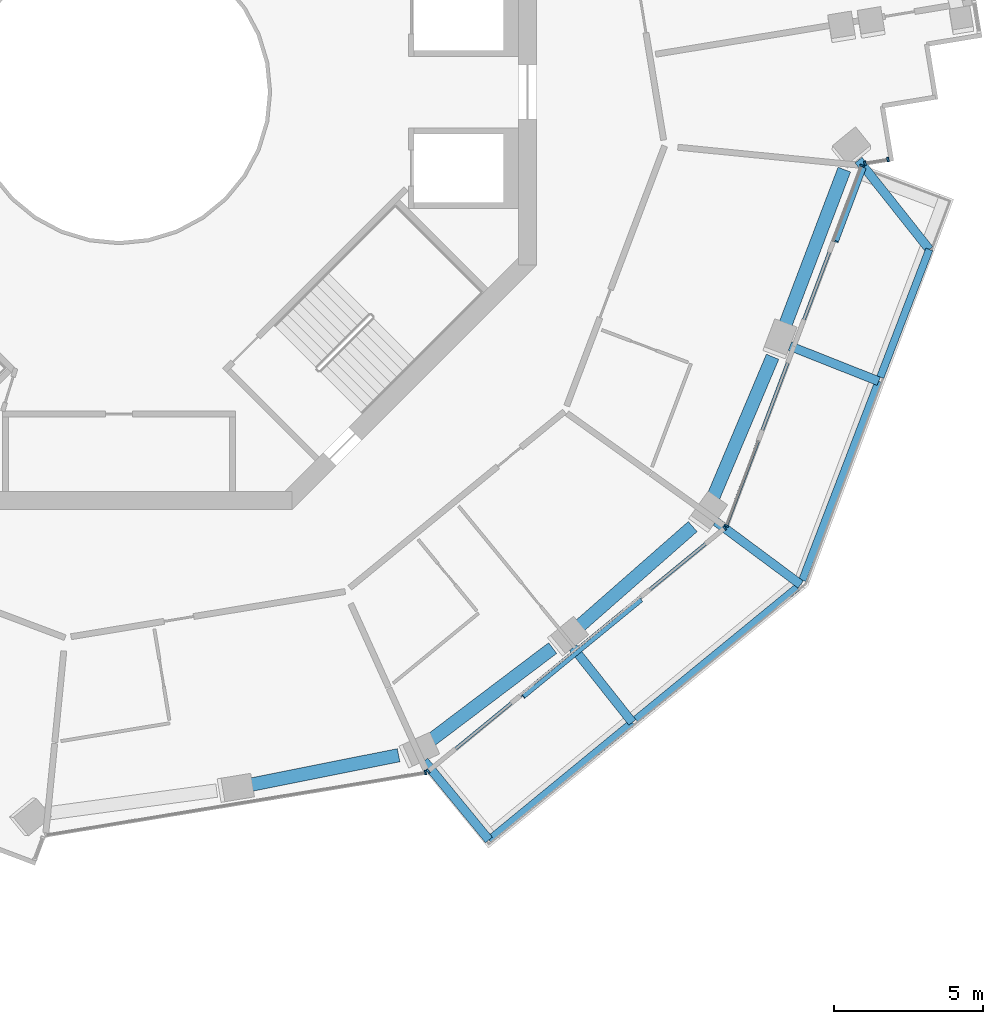
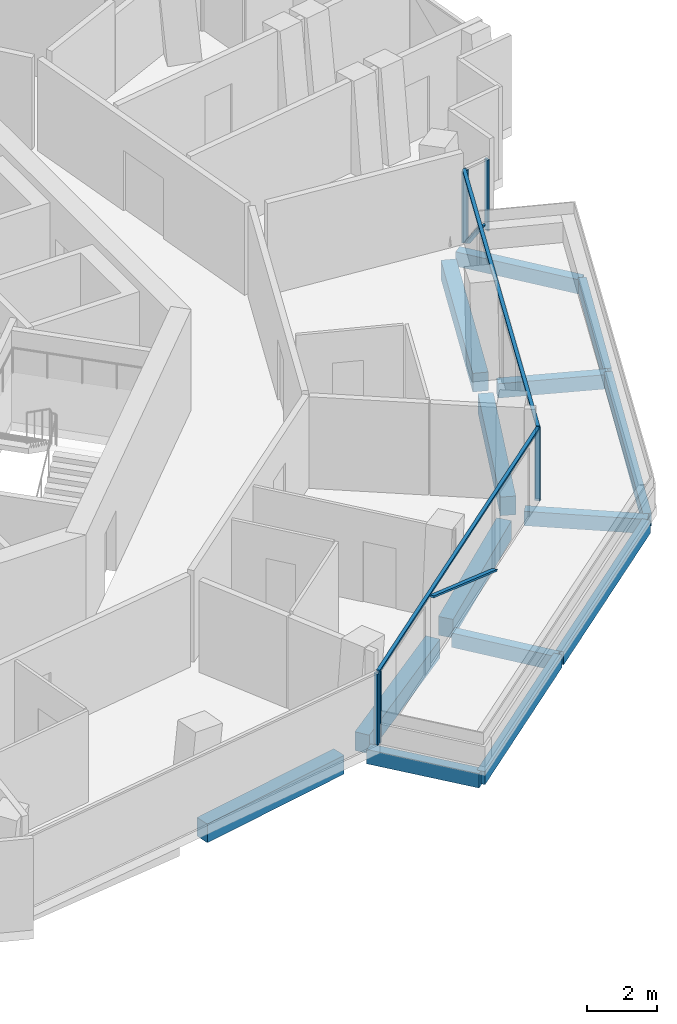
# One storey, part 4 of 21: 14 beams, 11 members, 4 elements without a shape of their own.
"""IFC4 building model written with IfcOpenShell, lengths in metres."""

from ifc_helpers import new_model, si_unit, direction, frame, origin, origin_2d, place, context, subcontext, project, spatial, rectangle, extrude, material, layer, layer_set, material_profile, profile_set, type_object, element, aggregate, save


model = new_model("IFC4")

# Units and contexts
model_context = context("Model", 3, precision=1e-05, world=origin(), true_north=direction((0.0, 1.0)))
body_context = subcontext(model_context, "Body", "Model", "MODEL_VIEW")
ifc_project = project(units=[si_unit("LENGTHUNIT", "METRE"), si_unit("AREAUNIT", "SQUARE_METRE"), si_unit("VOLUMEUNIT", "CUBIC_METRE"), si_unit("PLANEANGLEUNIT", "RADIAN"), si_unit("MASSUNIT", "GRAM", prefix="KILO")], contexts=[model_context])

# Site, building, storey
site_placement = place(None, origin())
site = spatial("IfcSite", under=ifc_project, at=site_placement, CompositionType="ELEMENT")
building_placement = place(site_placement, origin())
building = spatial("IfcBuilding", under=site, at=building_placement, Name="Verdalira Terraces Hotel", CompositionType="ELEMENT")
storey_placement = place(building_placement, frame((0.0, 0.0, 194.0)))
storey = spatial("IfcBuildingStorey", under=building, at=storey_placement, Name="L47", CompositionType="ELEMENT", Elevation=194.0)

# Beams
ifc_material_1 = material(Name="Concrete C40", Category="concrete")
ifc_material_profile_1 = material_profile(ifc_material_1, rectangle(XDim=0.300049, YDim=0.5, at=origin_2d()), Name="RC 300X500")
ifc_profile_set_1 = profile_set([ifc_material_profile_1], Name="Concrete C40")
beam_type_1 = type_object("IfcBeamType", Name="Balcony cantilever beam RC 300X500 C40", PredefinedType="BEAM", material=ifc_profile_set_1)
beam_1_placement = place(storey_placement, frame((10.235352, -22.431641, -0.560059), z_axis=(0.634188744, -0.77317827, 0.0), x_axis=(0.77317827, 0.634188744, 0.0)))
element("IfcBeam", 1, at=beam_1_placement, inside=storey, type_object=beam_type_1, Name="Balcony cantilever beam R26-1", PredefinedType="BEAM", context=body_context, shape_type="SweptSolid", body=[
    extrude(rectangle(XDim=0.300049, YDim=0.5, at=origin_2d()), origin(), (0.0, 0.0, 1.0), 3.423584),
])
beam_2_placement = place(storey_placement, frame((15.225098, -18.627686, -0.560059), z_axis=(0.621144404, -0.783696133, 0.0), x_axis=(0.783696133, 0.621144404, 0.0)))
element("IfcBeam", 2, at=beam_2_placement, inside=storey, type_object=beam_type_1, Name="Balcony cantilever beam R26-2", PredefinedType="BEAM", context=body_context, shape_type="SweptSolid", body=[
    extrude(rectangle(XDim=0.300049, YDim=0.5, at=origin_2d()), origin(), (0.0, 0.0, 1.0), 3.200684),
])
beam_3_placement = place(storey_placement, frame((20.011719, -14.400635, -0.560059), z_axis=(0.802801306, -0.596246646, 0.0), x_axis=(0.596246646, 0.802801306, 0.0)))
element("IfcBeam", 3, at=beam_3_placement, inside=storey, type_object=beam_type_1, Name="Balcony cantilever beam R26-3", PredefinedType="BEAM", context=body_context, shape_type="SweptSolid", body=[
    extrude(rectangle(XDim=0.300049, YDim=0.5, at=origin_2d()), origin(), (0.0, 0.0, 1.0), 3.544678),
])
beam_4_placement = place(storey_placement, frame((22.499023, -8.519287, -0.560059), z_axis=(0.92975984, -0.368166591, 0.0), x_axis=(0.368166591, 0.92975984, 0.0)))
element("IfcBeam", 4, at=beam_4_placement, inside=storey, type_object=beam_type_1, Name="Balcony cantilever beam R26-4", PredefinedType="BEAM", context=body_context, shape_type="SweptSolid", body=[
    extrude(rectangle(XDim=0.300049, YDim=0.5, at=origin_2d()), origin(), (0.0, 0.0, 1.0), 3.200928),
])
beam_5_placement = place(storey_placement, frame((24.79834, -2.282471, -0.560059), z_axis=(0.621189042, -0.783660752, 0.0), x_axis=(0.783660752, 0.621189042, 0.0)))
element("IfcBeam", 5, at=beam_5_placement, inside=storey, type_object=beam_type_1, Name="Balcony cantilever beam R26-5", PredefinedType="BEAM", context=body_context, shape_type="SweptSolid", body=[
    extrude(rectangle(XDim=0.300049, YDim=0.5, at=origin_2d()), origin(), (0.0, 0.0, 1.0), 3.819824),
])
ifc_material_2 = material(Name="Concrete C40", Category="concrete")
ifc_material_profile_2 = material_profile(ifc_material_2, rectangle(XDim=0.25, YDim=0.449951, at=origin_2d()), Name="RC 250X450")
ifc_profile_set_2 = profile_set([ifc_material_profile_2], Name="Concrete C40")
beam_type_2 = type_object("IfcBeamType", Name="Balcony edge beam RC 250X450 C40", PredefinedType="BEAM", material=ifc_profile_set_2)
beam_6_placement = place(storey_placement, frame((12.406494, -25.078613, -0.534912), z_axis=(0.773174587, 0.634193234, 0.0), x_axis=(-0.634193234, 0.773174587, 0.0)))
element("IfcBeam", 6, at=beam_6_placement, inside=storey, type_object=beam_type_2, Name="Balcony edge beam R26-1", PredefinedType="BEAM", context=body_context, shape_type="SweptSolid", body=[
    extrude(rectangle(XDim=0.25, YDim=0.449951, at=origin_2d()), origin(), (0.0, 0.0, 1.0), 6.216797),
])
beam_7_placement = place(storey_placement, frame((17.329346, -21.041016, -0.534912), z_axis=(0.773686476, 0.633568652, 0.0), x_axis=(-0.633568652, 0.773686476, 0.0)))
element("IfcBeam", 7, at=beam_7_placement, inside=storey, type_object=beam_type_2, Name="Balcony edge beam R26-2", PredefinedType="BEAM", context=body_context, shape_type="SweptSolid", body=[
    extrude(rectangle(XDim=0.25, YDim=0.449951, at=origin_2d()), origin(), (0.0, 0.0, 1.0), 6.990479),
])
beam_8_placement = place(storey_placement, frame((22.91333, -16.368652, -0.534912), z_axis=(0.358495963, 0.933531277, 0.0), x_axis=(-0.933531277, 0.358495963, 0.0)))
element("IfcBeam", 8, at=beam_8_placement, inside=storey, type_object=beam_type_2, Name="Balcony edge beam R26-3", PredefinedType="BEAM", context=body_context, shape_type="SweptSolid", body=[
    extrude(rectangle(XDim=0.25, YDim=0.449951, at=origin_2d()), origin(), (0.0, 0.0, 1.0), 7.145996),
])
beam_9_placement = place(storey_placement, frame((25.528809, -9.557617, -0.534912), z_axis=(0.358126312, 0.933673147, 0.0), x_axis=(-0.933673147, 0.358126312, 0.0)))
element("IfcBeam", 9, at=beam_9_placement, inside=storey, type_object=beam_type_2, Name="Balcony edge beam R26-4", PredefinedType="BEAM", context=body_context, shape_type="SweptSolid", body=[
    extrude(rectangle(XDim=0.25, YDim=0.449951, at=origin_2d()), origin(), (0.0, 0.0, 1.0), 4.585938),
])

# Curtain wall, member
ifc_material_3 = material(Name="Clear glass", Category="glass")
ifc_layer_1 = layer(ifc_material_3, 0.14990234375)
ifc_layer_set_1 = layer_set([ifc_layer_1], Name="CW1 curtain wall")
curtain_wall_type_1 = type_object("IfcCurtainWallType", Name="CW1 curtain wall", PredefinedType="NOTDEFINED", material=ifc_layer_set_1)
curtain_wall_1_placement = place(storey_placement, origin())
curtain_wall_1 = element("IfcCurtainWall", 10, at=curtain_wall_1_placement, inside=storey, type_object=curtain_wall_type_1, Name="CW1 curtain wall L47 edge 25", PredefinedType="NOTDEFINED")
ifc_material_4 = material(Name="Terracotta frame", Category="masonry")
ifc_material_profile_3 = material_profile(ifc_material_4, rectangle(XDim=0.060059, YDim=0.149902, at=origin_2d()), Name="MU 60x150")
ifc_profile_set_3 = profile_set([ifc_material_profile_3], Name="Terracotta frame")
member_type_1 = type_object("IfcMemberType", Name="CW1 mullion 60x150", PredefinedType="MULLION", material=ifc_profile_set_3)
member_1_placement = place(storey_placement, frame((10.277344, -22.815674, 0.0), z_axis=(0.0, 0.0, 1.0), x_axis=(0.986685944, 0.162637165, 0.0)))
member_1 = element("IfcMember", 11, at=member_1_placement, type_object=member_type_1, Name="CW1 mullion", PredefinedType="MULLION", context=body_context, shape_type="SweptSolid", body=[
    extrude(rectangle(XDim=0.060059, YDim=0.149902, at=origin_2d()), origin(), (0.0, 0.0, 1.0), 2.475098),
])
aggregate(curtain_wall_1, [member_1])

# Curtain wall, members
curtain_wall_2_placement = place(storey_placement, origin())
curtain_wall_2 = element("IfcCurtainWall", 12, at=curtain_wall_2_placement, inside=storey, type_object=curtain_wall_type_1, Name="CW1 curtain wall L47 edge 26", PredefinedType="NOTDEFINED")
member_2_placement = place(storey_placement, frame((10.365479, -22.775635, 0.0), z_axis=(0.0, 0.0, 1.0), x_axis=(0.773176511, 0.634190889, 0.0)))
member_2 = element("IfcMember", 13, at=member_2_placement, type_object=member_type_1, Name="CW1 mullion", PredefinedType="MULLION", context=body_context, shape_type="SweptSolid", body=[
    extrude(rectangle(XDim=0.060059, YDim=0.149902, at=origin_2d()), origin(), (0.0, 0.0, 1.0), 2.475098),
])
member_3_placement = place(storey_placement, frame((20.308105, -14.620361, 0.0), z_axis=(0.0, 0.0, 1.0), x_axis=(0.773176511, 0.634190889, 0.0)))
member_3 = element("IfcMember", 14, at=member_3_placement, type_object=member_type_1, Name="CW1 mullion", PredefinedType="MULLION", context=body_context, shape_type="SweptSolid", body=[
    extrude(rectangle(XDim=0.060059, YDim=0.149902, at=origin_2d()), origin(), (0.0, 0.0, 1.0), 2.475098),
])

curtain_wall_3_placement = place(storey_placement, origin())
curtain_wall_3 = element("IfcCurtainWall", 15, at=curtain_wall_3_placement, inside=storey, type_object=curtain_wall_type_1, Name="CW1 curtain wall L47 edge 27", PredefinedType="NOTDEFINED")
member_4_placement = place(storey_placement, frame((20.364502, -14.541504, 0.0), z_axis=(0.0, 0.0, 1.0), x_axis=(0.352495055, 0.935813676, 0.0)))
member_4 = element("IfcMember", 16, at=member_4_placement, type_object=member_type_1, Name="CW1 mullion", PredefinedType="MULLION", context=body_context, shape_type="SweptSolid", body=[
    extrude(rectangle(XDim=0.060059, YDim=0.149902, at=origin_2d()), origin(), (0.0, 0.0, 1.0), 2.475098),
])
member_5_placement = place(storey_placement, frame((24.911621, -2.469727, 0.0), z_axis=(0.0, 0.0, 1.0), x_axis=(0.352495055, 0.935813676, 0.0)))
member_5 = element("IfcMember", 17, at=member_5_placement, type_object=member_type_1, Name="CW1 mullion", PredefinedType="MULLION", context=body_context, shape_type="SweptSolid", body=[
    extrude(rectangle(XDim=0.060059, YDim=0.149902, at=origin_2d()), origin(), (0.0, 0.0, 1.0), 2.475098),
])

# Member
ifc_material_5 = material(Name="Terracotta frame", Category="masonry")
ifc_material_profile_4 = material_profile(ifc_material_5, rectangle(XDim=0.110107, YDim=0.064941, at=origin_2d()), Name="TR 65x110")
ifc_profile_set_4 = profile_set([ifc_material_profile_4], Name="Terracotta frame")
member_type_2 = type_object("IfcMemberType", Name="CW1 transom 65x110", PredefinedType="USERDEFINED", material=ifc_profile_set_4)
member_6_placement = place(storey_placement, frame((10.342285, -22.794678, 2.507568), z_axis=(0.773177907, 0.634189186, 0.0), x_axis=(-0.634189186, 0.773177907, 0.0)))
member_6 = element("IfcMember", 18, at=member_6_placement, type_object=member_type_2, Name="CW1 transom", ObjectType="TRANSOM", PredefinedType="USERDEFINED", context=body_context, shape_type="SweptSolid", body=[
    extrude(rectangle(XDim=0.110107, YDim=0.064941, at=origin_2d()), origin(), (0.0, 0.0, 1.0), 12.919434),
])

member_7_placement = place(storey_placement, frame((20.354004, -14.56958, 2.507568), z_axis=(0.352502127, 0.935811012, 0.0), x_axis=(-0.935811012, 0.352502127, 0.0)))
member_7 = element("IfcMember", 19, at=member_7_placement, type_object=member_type_2, Name="CW1 transom", ObjectType="TRANSOM", PredefinedType="USERDEFINED", context=body_context, shape_type="SweptSolid", body=[
    extrude(rectangle(XDim=0.110107, YDim=0.064941, at=origin_2d()), origin(), (0.0, 0.0, 1.0), 12.959717),
])

# Curtain wall, members
ifc_material_6 = material(Name="Clear glass", Category="glass")
ifc_layer_2 = layer(ifc_material_6, 0.14990234375)
ifc_layer_set_2 = layer_set([ifc_layer_2], Name="CW2 curtain wall")
curtain_wall_type_2 = type_object("IfcCurtainWallType", Name="CW2 curtain wall", PredefinedType="NOTDEFINED", material=ifc_layer_set_2)
curtain_wall_4_placement = place(storey_placement, origin())
curtain_wall_4 = element("IfcCurtainWall", 20, at=curtain_wall_4_placement, inside=storey, type_object=curtain_wall_type_2, Name="CW2 curtain wall L47 edge 28", PredefinedType="NOTDEFINED")
ifc_material_7 = material(Name="Terracotta frame", Category="masonry")
ifc_material_profile_5 = material_profile(ifc_material_7, rectangle(XDim=0.070068, YDim=0.149902, at=origin_2d()), Name="MU 70x150")
ifc_profile_set_5 = profile_set([ifc_material_profile_5], Name="Terracotta frame")
member_type_3 = type_object("IfcMemberType", Name="CW2 mullion 70x150", PredefinedType="MULLION", material=ifc_profile_set_5)
member_8_placement = place(storey_placement, frame((25.014893, -2.388428, 0.0), z_axis=(0.0, 0.0, 1.0), x_axis=(0.986685944, 0.162637165, 0.0)))
member_8 = element("IfcMember", 21, at=member_8_placement, type_object=member_type_3, Name="CW2 mullion", PredefinedType="MULLION", context=body_context, shape_type="SweptSolid", body=[
    extrude(rectangle(XDim=0.070068, YDim=0.149902, at=origin_2d()), origin(), (0.0, 0.0, 1.0), 2.475098),
])
member_9_placement = place(storey_placement, frame((25.784424, -2.261719, 0.0), z_axis=(0.0, 0.0, 1.0), x_axis=(0.986685944, 0.162637165, 0.0)))
member_9 = element("IfcMember", 22, at=member_9_placement, type_object=member_type_3, Name="CW2 mullion", PredefinedType="MULLION", context=body_context, shape_type="SweptSolid", body=[
    extrude(rectangle(XDim=0.070068, YDim=0.149902, at=origin_2d()), origin(), (0.0, 0.0, 1.0), 2.475098),
])
aggregate(curtain_wall_4, [member_8, member_9])

# Member
ifc_material_8 = material(Name="Terracotta frame", Category="masonry")
ifc_material_profile_6 = material_profile(ifc_material_8, rectangle(XDim=0.149902, YDim=0.060059, at=origin_2d()), Name="GB 60x150")
ifc_profile_set_6 = profile_set([ifc_material_profile_6], Name="Terracotta frame")
member_type_4 = type_object("IfcMemberType", Name="Diagonal glazing bar 60x150", PredefinedType="USERDEFINED", material=ifc_profile_set_6)
member_10_placement = place(storey_placement, frame((13.558105, -20.271973, 2.447021), z_axis=(0.69872975, 0.573106188, -0.428165896), x_axis=(-0.634177372, 0.773187598, 0.0)))
member_10 = element("IfcMember", 23, at=member_10_placement, type_object=member_type_4, Name="Diagonal glazing bar", ObjectType="GLAZING BAR", PredefinedType="USERDEFINED", context=body_context, shape_type="SweptSolid", body=[
    extrude(rectangle(XDim=0.149902, YDim=0.060059, at=origin_2d()), origin(), (0.0, 0.0, 1.0), 5.649658),
])

aggregate(curtain_wall_2, [member_2, member_3, member_6, member_10])

member_11_placement = place(storey_placement, frame((24.049072, -5.012451, 2.45166), z_axis=(0.258931037, 0.687344208, -0.678610829), x_axis=(-0.935801307, 0.35252789, 0.0)))
member_11 = element("IfcMember", 24, at=member_11_placement, type_object=member_type_4, Name="Diagonal glazing bar", ObjectType="GLAZING BAR", PredefinedType="USERDEFINED", context=body_context, shape_type="SweptSolid", body=[
    extrude(rectangle(XDim=0.149902, YDim=0.060059, at=origin_2d()), origin(), (0.0, 0.0, 1.0), 3.578125),
])

aggregate(curtain_wall_3, [member_4, member_5, member_7, member_11])

# Beams
ifc_material_9 = material(Name="Concrete C50", Category="concrete")
ifc_material_profile_7 = material_profile(ifc_material_9, rectangle(XDim=0.449951, YDim=0.649902, at=origin_2d()), Name="RC 450X650")
ifc_profile_set_7 = profile_set([ifc_material_profile_7], Name="Concrete C50")
beam_type_3 = type_object("IfcBeamType", Name="Spandrel beam RC 450X650 C50", PredefinedType="SPANDREL", material=ifc_profile_set_7)
beam_10_placement = place(storey_placement, frame((4.286133, -23.252686, -0.63501), z_axis=(0.980671044, 0.19566375, 0.0), x_axis=(-0.19566375, 0.980671044, 0.0)))
element("IfcBeam", 25, at=beam_10_placement, inside=storey, type_object=beam_type_3, Name="Spandrel beam B12", PredefinedType="SPANDREL", context=body_context, shape_type="SweptSolid", body=[
    extrude(rectangle(XDim=0.449951, YDim=0.649902, at=origin_2d()), origin(), (0.0, 0.0, 1.0), 5.189453),
])
beam_11_placement = place(storey_placement, frame((10.399902, -21.775146, -0.63501), z_axis=(0.797748701, 0.602990059, 0.0), x_axis=(-0.602990059, 0.797748701, 0.0)))
element("IfcBeam", 26, at=beam_11_placement, inside=storey, type_object=beam_type_3, Name="Spandrel beam B13", PredefinedType="SPANDREL", context=body_context, shape_type="SweptSolid", body=[
    extrude(rectangle(XDim=0.449951, YDim=0.649902, at=origin_2d()), origin(), (0.0, 0.0, 1.0), 5.192139),
])
beam_12_placement = place(storey_placement, frame((15.338379, -17.994385, -0.63501), z_axis=(0.751444776, 0.65979599, 0.0), x_axis=(-0.65979599, 0.751444776, 0.0)))
element("IfcBeam", 27, at=beam_12_placement, inside=storey, type_object=beam_type_3, Name="Spandrel beam B14", PredefinedType="SPANDREL", context=body_context, shape_type="SweptSolid", body=[
    extrude(rectangle(XDim=0.449951, YDim=0.649902, at=origin_2d()), origin(), (0.0, 0.0, 1.0), 5.189209),
])
beam_13_placement = place(storey_placement, frame((19.894287, -13.657959, -0.63501), z_axis=(0.389334716, 0.921096346, 0.0), x_axis=(-0.921096346, 0.389334716, 0.0)))
element("IfcBeam", 28, at=beam_13_placement, inside=storey, type_object=beam_type_3, Name="Spandrel beam B15", PredefinedType="SPANDREL", context=body_context, shape_type="SweptSolid", body=[
    extrude(rectangle(XDim=0.449951, YDim=0.649902, at=origin_2d()), origin(), (0.0, 0.0, 1.0), 5.192139),
])
beam_14_placement = place(storey_placement, frame((22.293457, -7.934082, -0.63501), z_axis=(0.355344113, 0.934735557, 0.0), x_axis=(-0.934735557, 0.355344113, 0.0)))
element("IfcBeam", 29, at=beam_14_placement, inside=storey, type_object=beam_type_3, Name="Spandrel beam B16", PredefinedType="SPANDREL", context=body_context, shape_type="SweptSolid", body=[
    extrude(rectangle(XDim=0.449951, YDim=0.649902, at=origin_2d()), origin(), (0.0, 0.0, 1.0), 5.706787),
])

save(model, "model.ifc")
